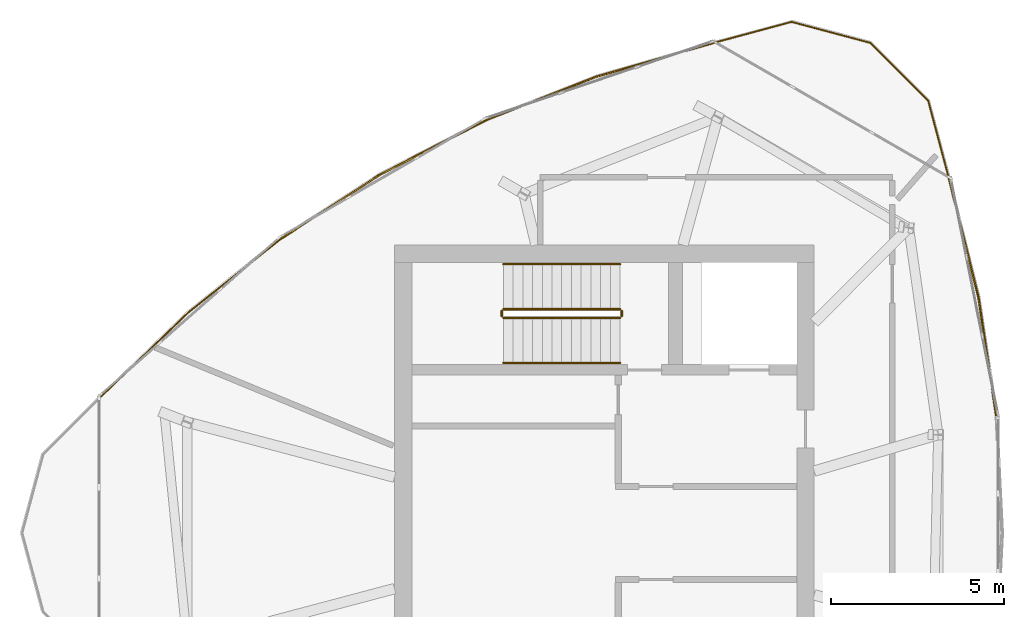
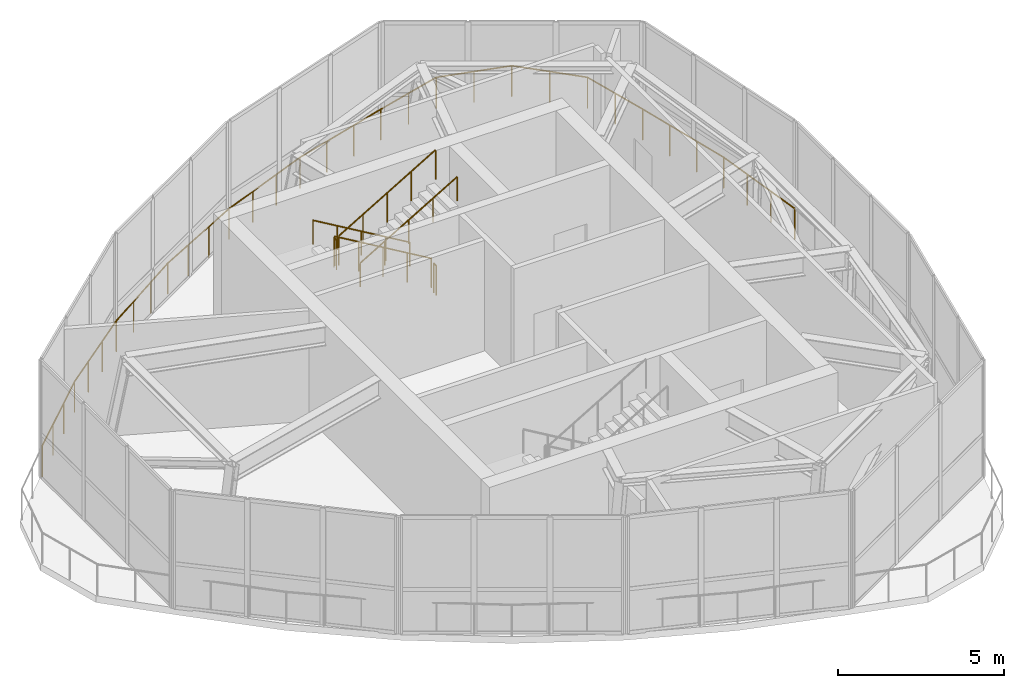
# One storey, part 9 of 9: 11 railings.
"""IFC4 building model written with IfcOpenShell, lengths in metres."""

import ifcopenshell
import ifcopenshell.guid

model = None  # the IFC model being written
_history = None  # IfcOwnerHistory: only IFC2X3 demands one
_inside = {}  # id of a spatial element -> (the spatial element, [elements in it])
_under = {}  # id of a project, library or spatial element -> (it, [spatial elements below it])
_declared = {}  # id of a project -> (the project, [libraries it declares])
_typed = {}  # id of a type object -> (the type object, [elements of that type])
_made_of = {}  # id of a material, layer set ... -> (it, [elements and type objects made of it])


def new_model(schema):
    """Start an empty IFC model of exactly this schema.

    Asked for "IFC4X3", IfcOpenShell would pick the latest addendum, in which some entities
    have other attributes; the version numbers below select the first issue.
    IFC2X3 requires an IfcOwnerHistory on every rooted entity: one is made here for all.
    """
    global model, _history
    if schema == "IFC4X3":
        model = ifcopenshell.file(schema_version=(4, 3, 0, 0))
    else:
        model = ifcopenshell.file(schema=schema)
    _inside.clear()
    _under.clear()
    _declared.clear()
    _typed.clear()
    _made_of.clear()
    _history = None
    if model.schema == "IFC2X3":
        org = make("IfcOrganization", Name="unknown")
        user = make(
            "IfcPersonAndOrganization",
            ThePerson=make("IfcPerson", FamilyName="unknown"),
            TheOrganization=org,
        )
        app = make(
            "IfcApplication",
            ApplicationDeveloper=org,
            Version="unknown",
            ApplicationFullName="unknown",
            ApplicationIdentifier="unknown",
        )
        _history = make(
            "IfcOwnerHistory",
            OwningUser=user,
            OwningApplication=app,
            ChangeAction="ADDED",
            CreationDate=0,
        )
    return model


def make(cls, **values):
    """One entity of the class cls with the attributes given. An attribute that is None is left unset."""
    return model.create_entity(
        cls, **{name: value for name, value in values.items() if value is not None}
    )


def rooted(cls, **values):
    """An entity with a GlobalId (a new one), such as an element, a storey or a relation."""
    return make(cls, GlobalId=ifcopenshell.guid.new(), OwnerHistory=_history, **values)


def si_unit(unit_type, name, prefix=None):
    """IfcSIUnit, for example si_unit("LENGTHUNIT", "METRE", prefix="MILLI")."""
    return make("IfcSIUnit", UnitType=unit_type, Prefix=prefix, Name=name)


def assignment(units):
    """IfcUnitAssignment: the units of a project."""
    return None if units is None else make("IfcUnitAssignment", Units=units)


def point(xyz):
    """IfcCartesianPoint."""
    return None if xyz is None else make("IfcCartesianPoint", Coordinates=xyz)


def direction(xyz):
    """IfcDirection."""
    return None if xyz is None else make("IfcDirection", DirectionRatios=xyz)


def frame(location, z_axis=None, x_axis=None):
    """IfcAxis2Placement3D, a coordinate frame: its origin and axes. An axis left out is left unset."""
    return make(
        "IfcAxis2Placement3D",
        Location=point(location),
        Axis=direction(z_axis),
        RefDirection=direction(x_axis),
    )


def frame_2d(location, x_axis=None):
    """IfcAxis2Placement2D, a coordinate frame in the plane: its origin and x axis."""
    return make(
        "IfcAxis2Placement2D", Location=point(location), RefDirection=direction(x_axis)
    )


def origin():
    """The frame at (0, 0, 0) with its axes left unset."""
    return frame((0.0, 0.0, 0.0))


def origin_2d():
    """The frame at (0, 0) in the plane with its x axis left unset."""
    return frame_2d((0.0, 0.0))


def place(relative_to, where):
    """IfcLocalPlacement: puts the frame where relative to a parent placement (None: the world)."""
    return make(
        "IfcLocalPlacement", PlacementRelTo=relative_to, RelativePlacement=where
    )


def context(
    kind, dimensions, precision=None, world=None, true_north=None, identifier=None
):
    """IfcGeometricRepresentationContext, for example the 3D "Model" context."""
    return make(
        "IfcGeometricRepresentationContext",
        ContextIdentifier=identifier,
        ContextType=kind,
        CoordinateSpaceDimension=dimensions,
        Precision=precision,
        WorldCoordinateSystem=world,
        TrueNorth=true_north,
    )


def subcontext(parent, identifier, kind, view, scale=None):
    """IfcGeometricRepresentationSubContext, for example "Body" below "Model"."""
    return make(
        "IfcGeometricRepresentationSubContext",
        ContextIdentifier=identifier,
        ContextType=kind,
        ParentContext=parent,
        TargetScale=scale,
        TargetView=view,
    )


def project(units=None, contexts=None):
    """IfcProject with its units and contexts."""
    return rooted(
        "IfcProject",
        Name="project",
        RepresentationContexts=contexts,
        UnitsInContext=assignment(units),
    )


def spatial(cls, under=None, at=None, **own):
    """A site, building, storey or space (cls), placed at a placement, below another one or the project."""
    s = rooted(cls, ObjectPlacement=at, **own)
    if under is not None:
        _under.setdefault(under.id(), (under, []))[1].append(s)
    return s


def profile(cls, at=None, kind="AREA", **sizes):
    """A parametric profile (cls). Its sizes go by their IFC names, for example OverallWidth=200.0."""
    return make(cls, ProfileType=kind, Position=at, **sizes)


def circle(**sizes):
    """IfcCircleProfileDef."""
    return profile("IfcCircleProfileDef", **sizes)


def extrude(swept, where, along, depth):
    """IfcExtrudedAreaSolid: the profile swept, set in the frame where, extruded along a direction by depth."""
    return make(
        "IfcExtrudedAreaSolid",
        SweptArea=swept,
        Position=where,
        ExtrudedDirection=direction(along),
        Depth=depth,
    )


def shape(context_of_items, identifier, shape_type, items):
    """IfcShapeRepresentation: the items that make up one representation, for example the "Body"."""
    return make(
        "IfcShapeRepresentation",
        ContextOfItems=context_of_items,
        RepresentationIdentifier=identifier,
        RepresentationType=shape_type,
        Items=items,
    )


def source(mapping_origin, context_of_items, identifier, shape_type, items):
    """IfcRepresentationMap: a shape defined once, which mapped items show again and again."""
    return make(
        "IfcRepresentationMap",
        MappingOrigin=mapping_origin,
        MappedRepresentation=shape(context_of_items, identifier, shape_type, items),
    )


def transform(
    local_origin,
    x_axis=None,
    y_axis=None,
    z_axis=None,
    scale=None,
    scale2=None,
    scale3=None,
    uniform=True,
):
    """IfcCartesianTransformationOperator3D, or its non-uniform kind. x_axis, y_axis, z_axis: its Axis1, 2, 3."""
    if uniform:
        return make(
            "IfcCartesianTransformationOperator3D",
            Axis1=direction(x_axis),
            Axis2=direction(y_axis),
            LocalOrigin=point(local_origin),
            Scale=scale,
            Axis3=direction(z_axis),
        )
    return make(
        "IfcCartesianTransformationOperator3DnonUniform",
        Axis1=direction(x_axis),
        Axis2=direction(y_axis),
        LocalOrigin=point(local_origin),
        Scale=scale,
        Axis3=direction(z_axis),
        Scale2=scale2,
        Scale3=scale3,
    )


def mapped(mapping_source, mapping_target):
    """IfcMappedItem: shows the shape of a source again, moved by a transform."""
    return make(
        "IfcMappedItem", MappingSource=mapping_source, MappingTarget=mapping_target
    )


def material(Name=None, Category=None):
    """IfcMaterial."""
    return make("IfcMaterial", Name=Name, Category=Category)


def made_of(thing, what):
    """Note that an element or type object is made of a material, layer set ...; save() writes the relation."""
    if what is not None:
        _made_of.setdefault(what.id(), (what, []))[1].append(thing)
    return thing


def type_object(cls, material=None, **own):
    """A type object (cls), such as IfcWallType, which elements share."""
    return made_of(rooted(cls, **own), material)


def element(
    cls,
    number,
    at=None,
    inside=None,
    cuts=None,
    type_object=None,
    material=None,
    context=None,
    identifier="Body",
    shape_type=None,
    held_by="IfcProductDefinitionShape",
    body=None,
    shapes=None,
    **own,
):
    """One element of the class cls, such as IfcWall. Its Tag is "e" and its number.

    at: its placement. inside: the storey or other place that contains it. cuts: it is an
    opening in that element (IfcRelVoidsElement). A single representation is given by context,
    identifier, shape_type and body (its items); several are given by shapes. held_by: the class
    of the entity that holds the representations. save() writes the other relations.
    """
    e = rooted(cls, Tag="e%d" % number, ObjectPlacement=at, **own)
    if body is not None:
        shapes = [shape(context, identifier, shape_type, body)]
    if shapes is not None:
        e.Representation = make(held_by, Representations=shapes)
    if inside is not None:
        _inside.setdefault(inside.id(), (inside, []))[1].append(e)
    if cuts is not None:
        rooted(
            "IfcRelVoidsElement", RelatingBuildingElement=cuts, RelatedOpeningElement=e
        )
    if type_object is not None:
        _typed.setdefault(type_object.id(), (type_object, []))[1].append(e)
    return made_of(e, material)


def aggregate(whole, parts):
    """IfcRelAggregates: a whole, such as a stair, and the parts it consists of."""
    return rooted("IfcRelAggregates", RelatingObject=whole, RelatedObjects=parts)


def save(model, path):
    """Write the relations noted so far, then the file.

    IfcRelAggregates (storeys below a building ...), IfcRelContainedInSpatialStructure (elements
    in a storey), IfcRelDefinesByType, IfcRelAssociatesMaterial and IfcRelDeclares: one each for
    every whole, place, type object, material and project.
    """
    for whole, parts in _under.values():
        aggregate(whole, parts)
    for where, things in _inside.values():
        rooted(
            "IfcRelContainedInSpatialStructure",
            RelatedElements=things,
            RelatingStructure=where,
        )
    for kind, things in _typed.values():
        rooted("IfcRelDefinesByType", RelatedObjects=things, RelatingType=kind)
    for what, things in _made_of.values():
        rooted("IfcRelAssociatesMaterial", RelatedObjects=things, RelatingMaterial=what)
    for by, libraries in _declared.values():
        rooted("IfcRelDeclares", RelatingContext=by, RelatedDefinitions=libraries)
    model.write(path)


model = new_model("IFC4")

# Units and contexts
model_context = context("Model", 3, precision=1e-05, world=origin(), true_north=direction((0.0, 1.0)))
body_context = subcontext(model_context, "Body", "Model", "MODEL_VIEW")
ifc_project = project(units=[si_unit("LENGTHUNIT", "METRE"), si_unit("AREAUNIT", "SQUARE_METRE"), si_unit("VOLUMEUNIT", "CUBIC_METRE"), si_unit("PLANEANGLEUNIT", "RADIAN"), si_unit("MASSUNIT", "GRAM", prefix="KILO")], contexts=[model_context])

# Site, building, storey
site_placement = place(None, origin())
site = spatial("IfcSite", under=ifc_project, at=site_placement, CompositionType="ELEMENT")
building_placement = place(site_placement, origin())
building = spatial("IfcBuilding", under=site, at=building_placement, Name="Qafzar Sky-Pleat Residences", CompositionType="ELEMENT")
storey_placement = place(building_placement, frame((0.0, 0.0, 266.10009765625)))
storey = spatial("IfcBuildingStorey", under=building, at=storey_placement, Name="L79 Crown", CompositionType="ELEMENT", Elevation=266.10009765625)

# Railings
ifc_material_1 = material(Name="Galvanised and bronze-coated Steel S355 guardrail", Category="steel")
railing_type_1 = type_object("IfcRailingType", Name="RAIL-EXT-1150", PredefinedType="GUARDRAIL", material=ifc_material_1)
shared_shape_1 = source(origin(), body_context, "Body", "SweptSolid", [
    extrude(circle(Radius=0.02392578125, at=origin_2d()), frame((0.0, 0.0, 1.1259765625), z_axis=(-0.147502265251, 0.989061717865, 0.0), x_axis=(-0.989061717865, -0.147502265251, 0.0)), (0.0, 0.0, 1.0), 3.432861328125),
    extrude(circle(Radius=0.02392578125, at=origin_2d()), frame((-0.50634765625, 3.395263671875, 1.1259765625), z_axis=(-0.241354046334, 0.970437130534, 0.0), x_axis=(-0.970437130534, -0.241354046334, 0.0)), (0.0, 0.0, 1.0), 3.5009765625),
    extrude(circle(Radius=0.02099609375, at=origin_2d()), origin(), (0.0, 0.0, 1.0), 1.101806640625),
    extrude(circle(Radius=0.02099609375, at=origin_2d()), frame((-0.168701171875, 1.1318359375, 0.0)), (0.0, 0.0, 1.0), 1.101806640625),
    extrude(circle(Radius=0.02099609375, at=origin_2d()), frame((-0.337646484375, 2.263427734375, 0.0)), (0.0, 0.0, 1.0), 1.101806640625),
    extrude(circle(Radius=0.02099609375, at=origin_2d()), frame((-0.50634765625, 3.395263671875, 0.0)), (0.0, 0.0, 1.0), 1.101806640625),
    extrude(circle(Radius=0.02099609375, at=origin_2d()), frame((-0.7880859375, 4.52783203125, 0.0)), (0.0, 0.0, 1.0), 1.101806640625),
    extrude(circle(Radius=0.02099609375, at=origin_2d()), frame((-1.069580078125, 5.66015625, 0.0)), (0.0, 0.0, 1.0), 1.101806640625),
    extrude(circle(Radius=0.02099609375, at=origin_2d()), frame((-1.351318359375, 6.792724609375, 0.0)), (0.0, 0.0, 1.0), 1.101806640625),
])
railing_1_placement = place(storey_placement, frame((41.64306640625, 29.393798828125, 0.0)))
element("IfcRailing", 1, at=railing_1_placement, inside=storey, type_object=railing_type_1, Name="L79 Crown Corner Maintenance Guardrail 8", PredefinedType="GUARDRAIL", context=body_context, shape_type="MappedRepresentation", body=[
    mapped(shared_shape_1, transform((0.0, 0.0, 0.0), x_axis=(1.0, 0.0, 0.0), y_axis=(0.0, 1.0, 0.0), z_axis=(0.0, 0.0, 1.0), scale=1.0)),
])
shared_shape_2 = source(origin(), body_context, "Body", "SweptSolid", [
    extrude(circle(Radius=0.02392578125, at=origin_2d()), frame((0.0, 0.0, 1.1259765625), z_axis=(-0.257288416688, 0.966334657682, 0.0), x_axis=(-0.966334657682, -0.257288416688, 0.0)), (0.0, 0.0, 1.0), 2.355224609375),
    extrude(circle(Radius=0.02392578125, at=origin_2d()), frame((-0.60595703125, 2.27587890625, 1.1259765625), z_axis=(-0.706899296816, 0.707314204694, 0.0), x_axis=(-0.707314204694, -0.706899296816, 0.0)), (0.0, 0.0, 1.0), 2.353759765625),
    extrude(circle(Radius=0.02392578125, at=origin_2d()), frame((-2.269775390625, 3.940673828125, 1.1259765625), z_axis=(-0.966171227212, 0.25790145348, 0.0), x_axis=(-0.25790145348, -0.966171227212, 0.0)), (0.0, 0.0, 1.0), 2.354248046875),
    extrude(circle(Radius=0.02392578125, at=origin_2d()), frame((-4.54443359375, 4.5478515625, 1.1259765625), z_axis=(-0.965451502864, -0.260582799925, 0.0), x_axis=(0.260582799925, -0.965451502864, 0.0)), (0.0, 0.0, 1.0), 2.356201171875),
    extrude(circle(Radius=0.02099609375, at=origin_2d()), origin(), (0.0, 0.0, 1.0), 1.101806640625),
    extrude(circle(Radius=0.02099609375, at=origin_2d()), frame((-0.302978515625, 1.137939453125, 0.0)), (0.0, 0.0, 1.0), 1.101806640625),
    extrude(circle(Radius=0.02099609375, at=origin_2d()), frame((-0.60595703125, 2.27587890625, 0.0)), (0.0, 0.0, 1.0), 1.101806640625),
    extrude(circle(Radius=0.02099609375, at=origin_2d()), frame((-1.43798828125, 3.1083984375, 0.0)), (0.0, 0.0, 1.0), 1.101806640625),
    extrude(circle(Radius=0.02099609375, at=origin_2d()), frame((-2.269775390625, 3.940673828125, 0.0)), (0.0, 0.0, 1.0), 1.101806640625),
    extrude(circle(Radius=0.02099609375, at=origin_2d()), frame((-3.4072265625, 4.244140625, 0.0)), (0.0, 0.0, 1.0), 1.101806640625),
    extrude(circle(Radius=0.02099609375, at=origin_2d()), frame((-4.54443359375, 4.5478515625, 0.0)), (0.0, 0.0, 1.0), 1.101806640625),
    extrude(circle(Radius=0.02099609375, at=origin_2d()), frame((-5.681884765625, 4.24072265625, 0.0)), (0.0, 0.0, 1.0), 1.101806640625),
    extrude(circle(Radius=0.02099609375, at=origin_2d()), frame((-6.8193359375, 3.933837890625, 0.0)), (0.0, 0.0, 1.0), 1.101806640625),
])
railing_2_placement = place(storey_placement, frame((40.291748046875, 36.1865234375, 0.0)))
element("IfcRailing", 2, at=railing_2_placement, inside=storey, type_object=railing_type_1, Name="L79 Crown Corner Maintenance Guardrail 9", PredefinedType="GUARDRAIL", context=body_context, shape_type="MappedRepresentation", body=[
    mapped(shared_shape_2, transform((0.0, 0.0, 0.0), x_axis=(1.0, 0.0, 0.0), y_axis=(0.0, 1.0, 0.0), z_axis=(0.0, 0.0, 1.0), scale=1.0)),
])
shared_shape_3 = source(origin(), body_context, "Body", "SweptSolid", [
    extrude(circle(Radius=0.02392578125, at=origin_2d()), frame((0.0, 0.0, 1.1259765625), z_axis=(-0.960929895906, -0.276791862516, 0.0), x_axis=(0.276791862516, -0.960929895906, 0.0)), (0.0, 0.0, 1.0), 3.502685546875),
    extrude(circle(Radius=0.02392578125, at=origin_2d()), frame((-3.36572265625, -0.969482421875, 1.1259765625), z_axis=(-0.929965244454, -0.367647445398, 0.0), x_axis=(0.367647445398, -0.929965244454, 0.0)), (0.0, 0.0, 1.0), 3.4326171875),
    extrude(circle(Radius=0.02099609375, at=origin_2d()), origin(), (0.0, 0.0, 1.0), 1.101806640625),
    extrude(circle(Radius=0.02099609375, at=origin_2d()), frame((-1.121826171875, -0.3232421875, 0.0)), (0.0, 0.0, 1.0), 1.101806640625),
    extrude(circle(Radius=0.02099609375, at=origin_2d()), frame((-2.243896484375, -0.646240234375, 0.0)), (0.0, 0.0, 1.0), 1.101806640625),
    extrude(circle(Radius=0.02099609375, at=origin_2d()), frame((-3.36572265625, -0.969482421875, 0.0)), (0.0, 0.0, 1.0), 1.101806640625),
    extrude(circle(Radius=0.02099609375, at=origin_2d()), frame((-4.4296875, -1.39013671875, 0.0)), (0.0, 0.0, 1.0), 1.101806640625),
    extrude(circle(Radius=0.02099609375, at=origin_2d()), frame((-5.493896484375, -1.810791015625, 0.0)), (0.0, 0.0, 1.0), 1.101806640625),
    extrude(circle(Radius=0.02099609375, at=origin_2d()), frame((-6.557861328125, -2.2314453125, 0.0)), (0.0, 0.0, 1.0), 1.101806640625),
])
railing_3_placement = place(storey_placement, frame((33.472412109375, 40.120361328125, 0.0)))
element("IfcRailing", 3, at=railing_3_placement, inside=storey, type_object=railing_type_1, Name="L79 Crown Corner Maintenance Guardrail 10", PredefinedType="GUARDRAIL", context=body_context, shape_type="MappedRepresentation", body=[
    mapped(shared_shape_3, transform((0.0, 0.0, 0.0), x_axis=(1.0, 0.0, 0.0), y_axis=(0.0, 1.0, 0.0), z_axis=(0.0, 0.0, 1.0), scale=1.0)),
])
shared_shape_4 = source(origin(), body_context, "Body", "SweptSolid", [
    extrude(circle(Radius=0.02392578125, at=origin_2d()), frame((0.0, 0.0, 1.1259765625), z_axis=(-0.889352953886, -0.457221306824, 0.0), x_axis=(0.457221306824, -0.889352953886, 0.0)), (0.0, 0.0, 1.0), 3.39599609375),
    extrude(circle(Radius=0.02392578125, at=origin_2d()), frame((-3.020263671875, -1.552734375, 1.1259765625), z_axis=(-0.839867229663, -0.542791890634, 0.0), x_axis=(0.542791890634, -0.839867229663, 0.0)), (0.0, 0.0, 1.0), 3.39404296875),
    extrude(circle(Radius=0.02099609375, at=origin_2d()), origin(), (0.0, 0.0, 1.0), 1.101806640625),
    extrude(circle(Radius=0.02099609375, at=origin_2d()), frame((-1.0068359375, -0.517578125, 0.0)), (0.0, 0.0, 1.0), 1.101806640625),
    extrude(circle(Radius=0.02099609375, at=origin_2d()), frame((-2.013427734375, -1.03515625, 0.0)), (0.0, 0.0, 1.0), 1.101806640625),
    extrude(circle(Radius=0.02099609375, at=origin_2d()), frame((-3.020263671875, -1.552734375, 0.0)), (0.0, 0.0, 1.0), 1.101806640625),
    extrude(circle(Radius=0.02099609375, at=origin_2d()), frame((-3.970458984375, -2.166748046875, 0.0)), (0.0, 0.0, 1.0), 1.101806640625),
    extrude(circle(Radius=0.02099609375, at=origin_2d()), frame((-4.920654296875, -2.781005859375, 0.0)), (0.0, 0.0, 1.0), 1.101806640625),
    extrude(circle(Radius=0.02099609375, at=origin_2d()), frame((-5.870849609375, -3.39501953125, 0.0)), (0.0, 0.0, 1.0), 1.101806640625),
])
railing_4_placement = place(storey_placement, frame((26.91455078125, 37.888916015625, 0.0)))
element("IfcRailing", 4, at=railing_4_placement, inside=storey, type_object=railing_type_1, Name="L79 Crown Corner Maintenance Guardrail 11", PredefinedType="GUARDRAIL", context=body_context, shape_type="MappedRepresentation", body=[
    mapped(shared_shape_4, transform((0.0, 0.0, 0.0), x_axis=(1.0, 0.0, 0.0), y_axis=(0.0, 1.0, 0.0), z_axis=(0.0, 0.0, 1.0), scale=1.0)),
])
shared_shape_5 = source(origin(), body_context, "Body", "SweptSolid", [
    extrude(circle(Radius=0.02392578125, at=origin_2d()), frame((0.0, 0.0, 1.1259765625), z_axis=(-0.78278945706, -0.622286642887, 0.0), x_axis=(0.622286642887, -0.78278945706, 0.0)), (0.0, 0.0, 1.0), 3.428466796875),
    extrude(circle(Radius=0.02392578125, at=origin_2d()), frame((-2.683837890625, -2.133544921875, 1.1259765625), z_axis=(-0.720037312382, -0.693935349134, 0.0), x_axis=(0.693935349134, -0.720037312382, 0.0)), (0.0, 0.0, 1.0), 3.498046875),
    extrude(circle(Radius=0.02099609375, at=origin_2d()), origin(), (0.0, 0.0, 1.0), 1.101806640625),
    extrude(circle(Radius=0.02099609375, at=origin_2d()), frame((-0.89453125, -0.711181640625, 0.0)), (0.0, 0.0, 1.0), 1.101806640625),
    extrude(circle(Radius=0.02099609375, at=origin_2d()), frame((-1.789306640625, -1.42236328125, 0.0)), (0.0, 0.0, 1.0), 1.101806640625),
    extrude(circle(Radius=0.02099609375, at=origin_2d()), frame((-2.683837890625, -2.133544921875, 0.0)), (0.0, 0.0, 1.0), 1.101806640625),
    extrude(circle(Radius=0.02099609375, at=origin_2d()), frame((-3.5234375, -2.942626953125, 0.0)), (0.0, 0.0, 1.0), 1.101806640625),
    extrude(circle(Radius=0.02099609375, at=origin_2d()), frame((-4.363037109375, -3.751953125, 0.0)), (0.0, 0.0, 1.0), 1.101806640625),
    extrude(circle(Radius=0.02099609375, at=origin_2d()), frame((-5.20263671875, -4.56103515625, 0.0)), (0.0, 0.0, 1.0), 1.101806640625),
])
railing_5_placement = place(storey_placement, frame((21.043701171875, 34.493896484375, 0.0)))
element("IfcRailing", 5, at=railing_5_placement, inside=storey, type_object=railing_type_1, Name="L79 Crown Corner Maintenance Guardrail 12", PredefinedType="GUARDRAIL", context=body_context, shape_type="MappedRepresentation", body=[
    mapped(shared_shape_5, transform((0.0, 0.0, 0.0), x_axis=(1.0, 0.0, 0.0), y_axis=(0.0, 1.0, 0.0), z_axis=(0.0, 0.0, 1.0), scale=1.0)),
])
ifc_material_2 = material(Name="Painted Steel S355 stair guardrail", Category="steel")
railing_type_2 = type_object("IfcRailingType", Name="RAIL-STAIR-GUARD", PredefinedType="GUARDRAIL", material=ifc_material_2)
shared_shape_6 = source(origin(), body_context, "Body", "SweptSolid", [
    extrude(circle(Radius=0.02392578125, at=origin_2d()), frame((0.0, 0.0, 1.076171875), z_axis=(0.0, -1.0, 0.0), x_axis=(1.0, 0.0, 0.0)), (0.0, 0.0, 1.0), 0.14990234375),
    extrude(circle(Radius=0.02099609375, at=origin_2d()), origin(), (0.0, 0.0, 1.0), 1.052001953125),
    extrude(circle(Radius=0.02099609375, at=origin_2d()), frame((0.0, -0.14990234375, 0.0)), (0.0, 0.0, 1.0), 1.052001953125),
])
for number, where, name in (
    (6, (27.389892578125, 32.39990234375, 2.14990234375), "L79 Crown ST2 stair guard 2"),
    (7, (30.85009765625, 32.39990234375, 0.0), "L79 Crown ST2 stair guard 4"),
):
    element("IfcRailing", number, at=place(storey_placement, frame(where)), inside=storey, type_object=railing_type_2, Name=name, PredefinedType="GUARDRAIL", context=body_context, shape_type="MappedRepresentation", body=[
        mapped(shared_shape_6, transform((0.0, 0.0, 0.0), x_axis=(1.0, 0.0, 0.0), y_axis=(0.0, 1.0, 0.0), z_axis=(0.0, 0.0, 1.0), scale=1.0)),
    ])
shared_shape_7 = source(origin(), body_context, "Body", "SweptSolid", [
    extrude(circle(Radius=0.02392578125, at=origin_2d()), frame((0.0, 0.0, 1.076171875), z_axis=(-0.861027394533, 0.0, 0.50855857663), x_axis=(0.0, -1.0, 0.0)), (0.0, 0.0, 1.0), 3.90234375),
    extrude(circle(Radius=0.02099609375, at=origin_2d()), origin(), (0.0, 0.0, 1.0), 1.052001953125),
    extrude(circle(Radius=0.02099609375, at=origin_2d()), frame((-0.840087890625, 0.0, 0.49609375)), (0.0, 0.0, 1.0), 1.052001953125),
    extrude(circle(Radius=0.02099609375, at=origin_2d()), frame((-1.68017578125, 0.0, 0.9921875)), (0.0, 0.0, 1.0), 1.052001953125),
    extrude(circle(Radius=0.02099609375, at=origin_2d()), frame((-2.52001953125, 0.0, 1.488525390625)), (0.0, 0.0, 1.0), 1.052001953125),
    extrude(circle(Radius=0.02099609375, at=origin_2d()), frame((-3.360107421875, 0.0, 1.984619140625)), (0.0, 0.0, 1.0), 1.052001953125),
])
railing_6_placement = place(storey_placement, frame((30.800048828125, 32.449951171875, 0.165283203125)))
element("IfcRailing", 8, at=railing_6_placement, inside=storey, type_object=railing_type_2, Name="L79 Crown ST2 stair guard 1", PredefinedType="GUARDRAIL", context=body_context, shape_type="MappedRepresentation", body=[
    mapped(shared_shape_7, transform((0.0, 0.0, 0.0), x_axis=(1.0, 0.0, 0.0), y_axis=(0.0, 1.0, 0.0), z_axis=(0.0, 0.0, 1.0), scale=1.0)),
])
shared_shape_8 = source(origin(), body_context, "Body", "SweptSolid", [
    extrude(circle(Radius=0.02392578125, at=origin_2d()), frame((0.0, 0.0, 1.076171875), z_axis=(0.861027394533, 0.0, 0.50855857663), x_axis=(0.0, 1.0, 0.0)), (0.0, 0.0, 1.0), 3.90234375),
    extrude(circle(Radius=0.02099609375, at=origin_2d()), origin(), (0.0, 0.0, 1.0), 1.052001953125),
    extrude(circle(Radius=0.02099609375, at=origin_2d()), frame((0.840087890625, 0.0, 0.49609375)), (0.0, 0.0, 1.0), 1.052001953125),
    extrude(circle(Radius=0.02099609375, at=origin_2d()), frame((1.68017578125, 0.0, 0.9921875)), (0.0, 0.0, 1.0), 1.052001953125),
    extrude(circle(Radius=0.02099609375, at=origin_2d()), frame((2.52001953125, 0.0, 1.488525390625)), (0.0, 0.0, 1.0), 1.052001953125),
    extrude(circle(Radius=0.02099609375, at=origin_2d()), frame((3.360107421875, 0.0, 1.984619140625)), (0.0, 0.0, 1.0), 1.052001953125),
])
railing_7_placement = place(storey_placement, frame((27.43994140625, 32.199951171875, 2.315185546875)))
element("IfcRailing", 9, at=railing_7_placement, inside=storey, type_object=railing_type_2, Name="L79 Crown ST2 stair guard 3", PredefinedType="GUARDRAIL", context=body_context, shape_type="MappedRepresentation", body=[
    mapped(shared_shape_8, transform((0.0, 0.0, 0.0), x_axis=(1.0, 0.0, 0.0), y_axis=(0.0, 1.0, 0.0), z_axis=(0.0, 0.0, 1.0), scale=1.0)),
])
ifc_material_3 = material(Name="Brushed stainless steel handrail", Category="steel")
railing_type_3 = type_object("IfcRailingType", Name="RAIL-STAIR-HAND", PredefinedType="HANDRAIL", material=ifc_material_3)
shared_shape_9 = source(origin(), body_context, "Body", "SweptSolid", [
    extrude(circle(Radius=0.02392578125, at=origin_2d()), frame((0.0, 0.0, 0.8759765625), z_axis=(-0.861027394533, 0.0, 0.50855857663), x_axis=(0.0, -1.0, 0.0)), (0.0, 0.0, 1.0), 3.90234375),
    extrude(circle(Radius=0.02099609375, at=origin_2d()), origin(), (0.0, 0.0, 1.0), 0.851806640625),
    extrude(circle(Radius=0.02099609375, at=origin_2d()), frame((-0.840087890625, 0.0, 0.49609375)), (0.0, 0.0, 1.0), 0.851806640625),
    extrude(circle(Radius=0.02099609375, at=origin_2d()), frame((-1.68017578125, 0.0, 0.9921875)), (0.0, 0.0, 1.0), 0.851806640625),
    extrude(circle(Radius=0.02099609375, at=origin_2d()), frame((-2.52001953125, 0.0, 1.488525390625)), (0.0, 0.0, 1.0), 0.851806640625),
    extrude(circle(Radius=0.02099609375, at=origin_2d()), frame((-3.360107421875, 0.0, 1.984619140625)), (0.0, 0.0, 1.0), 0.851806640625),
])
railing_8_placement = place(storey_placement, frame((30.800048828125, 33.75, 0.165283203125)))
element("IfcRailing", 10, at=railing_8_placement, inside=storey, type_object=railing_type_3, Name="L79 Crown ST2 stair handrail 1", PredefinedType="HANDRAIL", context=body_context, shape_type="MappedRepresentation", body=[
    mapped(shared_shape_9, transform((0.0, 0.0, 0.0), x_axis=(1.0, 0.0, 0.0), y_axis=(0.0, 1.0, 0.0), z_axis=(0.0, 0.0, 1.0), scale=1.0)),
])
shared_shape_10 = source(origin(), body_context, "Body", "SweptSolid", [
    extrude(circle(Radius=0.02392578125, at=origin_2d()), frame((0.0, 0.0, 0.8759765625), z_axis=(0.861027394533, 0.0, 0.50855857663), x_axis=(0.0, 1.0, 0.0)), (0.0, 0.0, 1.0), 3.90234375),
    extrude(circle(Radius=0.02099609375, at=origin_2d()), origin(), (0.0, 0.0, 1.0), 0.851806640625),
    extrude(circle(Radius=0.02099609375, at=origin_2d()), frame((0.840087890625, 0.0, 0.49609375)), (0.0, 0.0, 1.0), 0.851806640625),
    extrude(circle(Radius=0.02099609375, at=origin_2d()), frame((1.68017578125, 0.0, 0.9921875)), (0.0, 0.0, 1.0), 0.851806640625),
    extrude(circle(Radius=0.02099609375, at=origin_2d()), frame((2.52001953125, 0.0, 1.488525390625)), (0.0, 0.0, 1.0), 0.851806640625),
    extrude(circle(Radius=0.02099609375, at=origin_2d()), frame((3.360107421875, 0.0, 1.984619140625)), (0.0, 0.0, 1.0), 0.851806640625),
])
railing_9_placement = place(storey_placement, frame((27.43994140625, 30.89990234375, 2.315185546875)))
element("IfcRailing", 11, at=railing_9_placement, inside=storey, type_object=railing_type_3, Name="L79 Crown ST2 stair handrail 2", PredefinedType="HANDRAIL", context=body_context, shape_type="MappedRepresentation", body=[
    mapped(shared_shape_10, transform((0.0, 0.0, 0.0), x_axis=(1.0, 0.0, 0.0), y_axis=(0.0, 1.0, 0.0), z_axis=(0.0, 0.0, 1.0), scale=1.0)),
])

save(model, "model.ifc")
